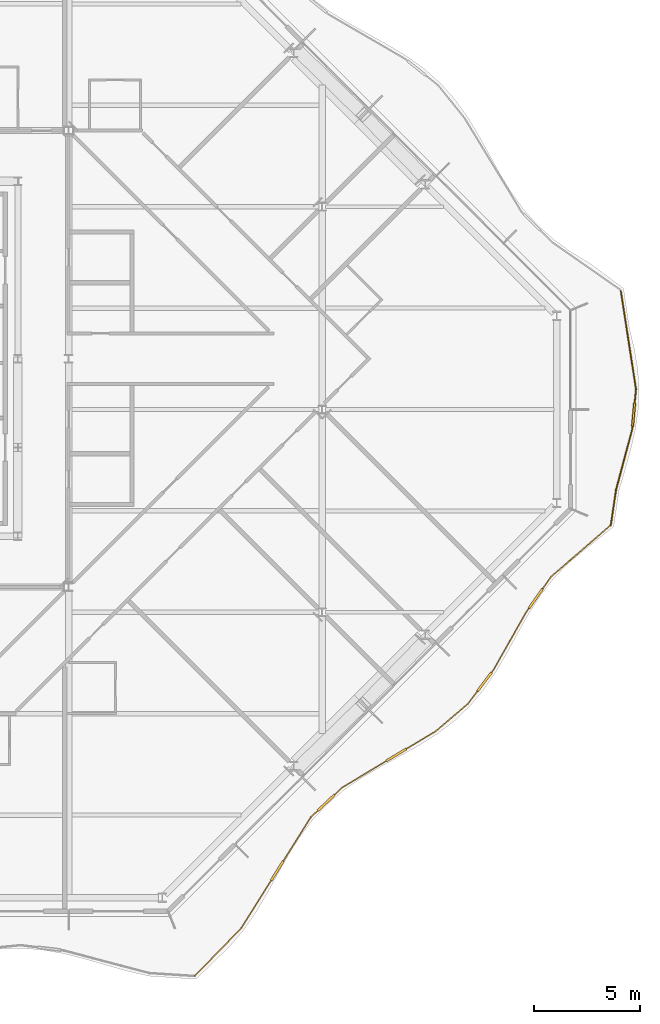
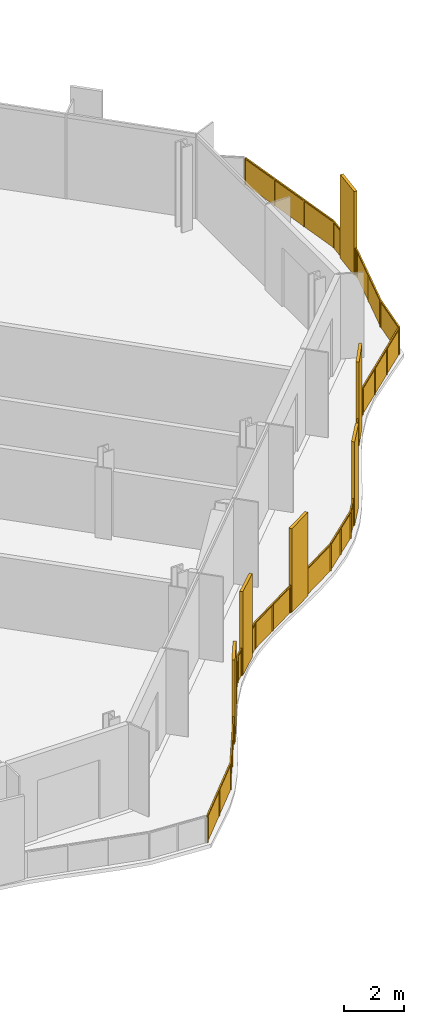
# One storey, part 15 of 17: 2 railings.
"""IFC4 building model written with IfcOpenShell, lengths in metres."""

from ifc_helpers import new_model, si_unit, direction, frame, origin, origin_2d, place, context, subcontext, project, spatial, polyline, rectangle, outline, extrude, material, type_object, element, save


model = new_model("IFC4")

# Units and contexts
model_context = context("Model", 3, precision=1e-05, world=origin(), true_north=direction((0.0, 1.0)))
body_context = subcontext(model_context, "Body", "Model", "MODEL_VIEW")
ifc_project = project(units=[si_unit("LENGTHUNIT", "METRE"), si_unit("AREAUNIT", "SQUARE_METRE"), si_unit("VOLUMEUNIT", "CUBIC_METRE"), si_unit("PLANEANGLEUNIT", "RADIAN"), si_unit("MASSUNIT", "GRAM", prefix="KILO")], contexts=[model_context])

# Site, building, storey
site_placement = place(None, origin())
site = spatial("IfcSite", under=ifc_project, at=site_placement, CompositionType="ELEMENT")
building_placement = place(site_placement, origin())
building = spatial("IfcBuilding", under=site, at=building_placement, Name="Cairn Pilgrim Tower", CompositionType="ELEMENT")
storey_placement = place(building_placement, frame((0.0, 0.0, 221.39990234375)))
storey = spatial("IfcBuildingStorey", under=building, at=storey_placement, Name="L56", CompositionType="ELEMENT", Elevation=221.39990234375)

# Railings
ifc_material = material(Name="Bronze anodised aluminium rail, posts and fin screens with laminated glass infill", Category="aluminium")
railing_type = type_object("IfcRailingType", Name="BALCONY GUARD WITH FIN SCREENS", PredefinedType="GUARDRAIL", material=ifc_material)
railing_1_placement = place(storey_placement, frame((25.16796875, -26.80908203125, 0.0)))
element("IfcRailing", 1, at=railing_1_placement, inside=storey, type_object=railing_type, Name="Balcony guard BGF-1 with fin screens", PredefinedType="GUARDRAIL", context=body_context, shape_type="SweptSolid", body=[
    extrude(rectangle(XDim=0.050048828125, YDim=0.050048828125, at=origin_2d()), frame((0.0, 0.0, 1.0751953125), z_axis=(0.69689377284, 0.717174364696, 0.0), x_axis=(-0.717174364696, 0.69689377284, 0.0)), (0.0, 0.0, 1.0), 3.154052734375),
    extrude(rectangle(XDim=1.10009765625, YDim=0.110107421875, at=origin_2d()), frame((3.90283203125, 4.981689453125, 0.0), z_axis=(0.0, 0.0, 1.0), x_axis=(0.531132233386, 0.84728894166, 0.0)), (0.0, 0.0, 1.0), 3.39990234375),
    extrude(rectangle(XDim=0.050048828125, YDim=0.050048828125, at=origin_2d()), frame((2.197998046875, 2.261962890625, 1.0751953125), z_axis=(0.531132233386, 0.84728894166, 0.0), x_axis=(-0.84728894166, 0.531132233386, 0.0)), (0.0, 0.0, 1.0), 2.659912109375),
    extrude(rectangle(XDim=0.050048828125, YDim=0.050048828125, at=origin_2d()), frame((4.195068359375, 5.44775390625, 1.0751953125), z_axis=(0.531132233386, 0.84728894166, 0.0), x_axis=(-0.84728894166, 0.531132233386, 0.0)), (0.0, 0.0, 1.0), 2.43408203125),
    extrude(rectangle(XDim=1.10009765625, YDim=0.110107421875, at=origin_2d()), frame((6.220703125, 8.202880859375, 0.0), z_axis=(0.0, 0.0, 1.0), x_axis=(0.726738639513, 0.686914077479, 0.0)), (0.0, 0.0, 1.0), 3.39990234375),
    extrude(rectangle(XDim=0.050048828125, YDim=0.050048828125, at=origin_2d()), frame((5.48779296875, 7.510009765625, 1.0751953125), z_axis=(0.726738639513, 0.686914077479, 0.0), x_axis=(-0.686914077479, 0.726738639513, 0.0)), (0.0, 0.0, 1.0), 0.45849609375),
    extrude(rectangle(XDim=0.050048828125, YDim=0.050048828125, at=origin_2d()), frame((6.620361328125, 8.58056640625, 1.0751953125), z_axis=(0.726738639513, 0.686914077479, 0.0), x_axis=(-0.686914077479, 0.726738639513, 0.0)), (0.0, 0.0, 1.0), 0.489013671875),
    extrude(rectangle(XDim=1.10009765625, YDim=0.110107421875, at=origin_2d()), frame((9.53662109375, 10.45947265625, 0.0), z_axis=(0.0, 0.0, 1.0), x_axis=(0.856510744857, 0.516129193074, 0.0)), (0.0, 0.0, 1.0), 3.39990234375),
    extrude(rectangle(XDim=0.050048828125, YDim=0.050048828125, at=origin_2d()), frame((6.975830078125, 8.91650390625, 1.0751953125), z_axis=(0.856510744857, 0.516129193074, 0.0), x_axis=(-0.516129193074, 0.856510744857, 0.0)), (0.0, 0.0, 1.0), 2.439697265625),
    extrude(rectangle(XDim=0.050048828125, YDim=0.050048828125, at=origin_2d()), frame((10.007568359375, 10.743408203125, 1.0751953125), z_axis=(0.856510744857, 0.516129193074, 0.0), x_axis=(-0.516129193074, 0.856510744857, 0.0)), (0.0, 0.0, 1.0), 1.64453125),
    extrude(rectangle(XDim=0.050048828125, YDim=0.050048828125, at=origin_2d()), frame((11.416259765625, 11.59228515625, 1.0751953125), z_axis=(0.760529014976, 0.649303948379, 0.0), x_axis=(-0.649303948379, 0.760529014976, 0.0)), (0.0, 0.0, 1.0), 1.98876953125),
    extrude(rectangle(XDim=1.10009765625, YDim=0.110107421875, at=origin_2d()), frame((13.714111328125, 13.925537109375, 0.0), z_axis=(0.0, 0.0, 1.0), x_axis=(0.601907640053, 0.798565709786, 0.0)), (0.0, 0.0, 1.0), 3.39990234375),
    extrude(rectangle(XDim=0.050048828125, YDim=0.050048828125, at=origin_2d()), frame((12.9287109375, 12.883544921875, 1.0751953125), z_axis=(0.601907640053, 0.798565709786, 0.0), x_axis=(-0.798565709786, 0.601907640053, 0.0)), (0.0, 0.0, 1.0), 0.7548828125),
    extrude(rectangle(XDim=0.050048828125, YDim=0.050048828125, at=origin_2d()), frame((14.045166015625, 14.36474609375, 1.0751953125), z_axis=(0.601907640053, 0.798565709786, 0.0), x_axis=(-0.798565709786, 0.601907640053, 0.0)), (0.0, 0.0, 1.0), 0.150146484375),
    extrude(rectangle(XDim=0.050048828125, YDim=0.050048828125, at=origin_2d()), frame((14.135498046875, 14.484619140625, 1.0751953125), z_axis=(0.492823501293, 0.870129298767, 0.0), x_axis=(-0.870129298767, 0.492823501293, 0.0)), (0.0, 0.0, 1.0), 3.1279296875),
    extrude(rectangle(XDim=1.10009765625, YDim=0.110107421875, at=origin_2d()), frame((16.137451171875, 17.862060546875, 0.0), z_axis=(0.0, 0.0, 1.0), x_axis=(0.57467417094, 0.818382305072, 0.0)), (0.0, 0.0, 1.0), 3.39990234375),
    extrude(rectangle(XDim=0.050048828125, YDim=0.050048828125, at=origin_2d()), frame((15.677001953125, 17.206298828125, 1.0751953125), z_axis=(0.57467417094, 0.818382305072, 0.0), x_axis=(-0.818382305072, 0.57467417094, 0.0)), (0.0, 0.0, 1.0), 0.251220703125),
    extrude(rectangle(XDim=0.050048828125, YDim=0.050048828125, at=origin_2d()), frame((16.453369140625, 18.31201171875, 1.0751953125), z_axis=(0.57467417094, 0.818382305072, 0.0), x_axis=(-0.818382305072, 0.57467417094, 0.0)), (0.0, 0.0, 1.0), 0.716552734375),
    extrude(rectangle(XDim=0.050048828125, YDim=0.050048828125, at=origin_2d()), frame((16.865234375, 18.8984375, 1.0751953125), z_axis=(0.756383607445, 0.654128304225, 0.0), x_axis=(-0.654128304225, 0.756383607445, 0.0)), (0.0, 0.0, 1.0), 3.674560546875),
    extrude(rectangle(XDim=0.050048828125, YDim=0.050048828125, at=origin_2d()), origin(), (0.0, 0.0, 1.0), 1.050048828125),
    extrude(rectangle(XDim=0.050048828125, YDim=0.050048828125, at=origin_2d()), frame((1.09912109375, 1.130859375, 0.0)), (0.0, 0.0, 1.0), 1.050048828125),
    extrude(rectangle(XDim=0.050048828125, YDim=0.050048828125, at=origin_2d()), frame((2.197998046875, 2.261962890625, 0.0)), (0.0, 0.0, 1.0), 1.050048828125),
    extrude(rectangle(XDim=0.050048828125, YDim=0.050048828125, at=origin_2d()), frame((2.897705078125, 3.378173828125, 0.0)), (0.0, 0.0, 1.0), 1.050048828125),
    extrude(rectangle(XDim=0.050048828125, YDim=0.050048828125, at=origin_2d()), frame((3.597412109375, 4.494384765625, 0.0)), (0.0, 0.0, 1.0), 1.050048828125),
    extrude(rectangle(XDim=0.050048828125, YDim=0.050048828125, at=origin_2d()), frame((4.208251953125, 5.468994140625, 0.0)), (0.0, 0.0, 1.0), 1.050048828125),
    extrude(rectangle(XDim=0.050048828125, YDim=0.050048828125, at=origin_2d()), frame((4.84814453125, 6.489501953125, 0.0)), (0.0, 0.0, 1.0), 1.050048828125),
    extrude(rectangle(XDim=0.050048828125, YDim=0.050048828125, at=origin_2d()), frame((5.48779296875, 7.510009765625, 0.0)), (0.0, 0.0, 1.0), 1.050048828125),
    extrude(rectangle(XDim=0.050048828125, YDim=0.050048828125, at=origin_2d()), frame((5.802978515625, 7.807861328125, 0.0)), (0.0, 0.0, 1.0), 1.050048828125),
    extrude(rectangle(XDim=0.050048828125, YDim=0.050048828125, at=origin_2d()), frame((6.638671875, 8.597900390625, 0.0)), (0.0, 0.0, 1.0), 1.050048828125),
    extrude(rectangle(XDim=0.050048828125, YDim=0.050048828125, at=origin_2d()), frame((6.975830078125, 8.91650390625, 0.0)), (0.0, 0.0, 1.0), 1.050048828125),
    extrude(rectangle(XDim=0.050048828125, YDim=0.050048828125, at=origin_2d()), frame((8.010009765625, 9.53955078125, 0.0)), (0.0, 0.0, 1.0), 1.050048828125),
    extrude(rectangle(XDim=0.050048828125, YDim=0.050048828125, at=origin_2d()), frame((9.0439453125, 10.162841796875, 0.0)), (0.0, 0.0, 1.0), 1.050048828125),
    extrude(rectangle(XDim=0.050048828125, YDim=0.050048828125, at=origin_2d()), frame((10.029052734375, 10.75634765625, 0.0)), (0.0, 0.0, 1.0), 1.050048828125),
    extrude(rectangle(XDim=0.050048828125, YDim=0.050048828125, at=origin_2d()), frame((11.416259765625, 11.59228515625, 0.0)), (0.0, 0.0, 1.0), 1.050048828125),
    extrude(rectangle(XDim=0.050048828125, YDim=0.050048828125, at=origin_2d()), frame((12.17236328125, 12.23779296875, 0.0)), (0.0, 0.0, 1.0), 1.050048828125),
    extrude(rectangle(XDim=0.050048828125, YDim=0.050048828125, at=origin_2d()), frame((12.9287109375, 12.883544921875, 0.0)), (0.0, 0.0, 1.0), 1.050048828125),
    extrude(rectangle(XDim=0.050048828125, YDim=0.050048828125, at=origin_2d()), frame((13.367919921875, 13.46630859375, 0.0)), (0.0, 0.0, 1.0), 1.050048828125),
    extrude(rectangle(XDim=0.050048828125, YDim=0.050048828125, at=origin_2d()), frame((14.060302734375, 14.384765625, 0.0)), (0.0, 0.0, 1.0), 1.050048828125),
    extrude(rectangle(XDim=0.050048828125, YDim=0.050048828125, at=origin_2d()), frame((14.135498046875, 14.484619140625, 0.0)), (0.0, 0.0, 1.0), 1.050048828125),
    extrude(rectangle(XDim=0.050048828125, YDim=0.050048828125, at=origin_2d()), frame((14.90625, 15.845458984375, 0.0)), (0.0, 0.0, 1.0), 1.050048828125),
    extrude(rectangle(XDim=0.050048828125, YDim=0.050048828125, at=origin_2d()), frame((15.677001953125, 17.206298828125, 0.0)), (0.0, 0.0, 1.0), 1.050048828125),
    extrude(rectangle(XDim=0.050048828125, YDim=0.050048828125, at=origin_2d()), frame((15.806884765625, 17.391357421875, 0.0)), (0.0, 0.0, 1.0), 1.050048828125),
    extrude(rectangle(XDim=0.050048828125, YDim=0.050048828125, at=origin_2d()), frame((16.4677734375, 18.33251953125, 0.0)), (0.0, 0.0, 1.0), 1.050048828125),
    extrude(rectangle(XDim=0.050048828125, YDim=0.050048828125, at=origin_2d()), frame((16.865234375, 18.8984375, 0.0)), (0.0, 0.0, 1.0), 1.050048828125),
    extrude(rectangle(XDim=0.050048828125, YDim=0.050048828125, at=origin_2d()), frame((17.791748046875, 19.69970703125, 0.0)), (0.0, 0.0, 1.0), 1.050048828125),
    extrude(rectangle(XDim=0.050048828125, YDim=0.050048828125, at=origin_2d()), frame((18.718017578125, 20.500732421875, 0.0)), (0.0, 0.0, 1.0), 1.050048828125),
    extrude(rectangle(XDim=0.050048828125, YDim=0.050048828125, at=origin_2d()), frame((19.64453125, 21.302001953125, 0.0)), (0.0, 0.0, 1.0), 1.050048828125),
    extrude(outline(polyline([(0.02490234375, 0.0), (1.552001953125, 0.0), (1.552001953125, 1.050048828125), (0.02490234375, 1.050048828125), (0.02490234375, 0.0)])), frame((-0.00439453125, 0.004150390625, 0.0), z_axis=(0.717174364696, -0.69689377284, 0.0), x_axis=(0.69689377284, 0.717174364696, 0.0)), (0.0, 0.0, 1.0), 0.011962890625),
    extrude(outline(polyline([(0.02490234375, 0.0), (1.552001953125, 0.0), (1.552001953125, 1.050048828125), (0.02490234375, 1.050048828125), (0.02490234375, 0.0)])), frame((1.0947265625, 1.13525390625, 0.0), z_axis=(0.717174364696, -0.69689377284, 0.0), x_axis=(0.69689377284, 0.717174364696, 0.0)), (0.0, 0.0, 1.0), 0.011962890625),
    extrude(outline(polyline([(0.02490234375, 0.0), (1.29248046875, 0.0), (1.29248046875, 1.050048828125), (0.02490234375, 1.050048828125), (0.02490234375, 0.0)])), frame((2.19287109375, 2.26513671875, 0.0), z_axis=(0.84728894166, -0.531132233386, 0.0), x_axis=(0.531132233386, 0.84728894166, 0.0)), (0.0, 0.0, 1.0), 0.011962890625),
    extrude(outline(polyline([(0.02490234375, 0.0), (1.29248046875, 0.0), (1.29248046875, 1.050048828125), (0.02490234375, 1.050048828125), (0.02490234375, 0.0)])), frame((2.892578125, 3.38134765625, 0.0), z_axis=(0.84728894166, -0.531132233386, 0.0), x_axis=(0.531132233386, 0.84728894166, 0.0)), (0.0, 0.0, 1.0), 0.011962890625),
    extrude(outline(polyline([(0.02490234375, 0.0), (1.179443359375, 0.0), (1.179443359375, 1.050048828125), (0.02490234375, 1.050048828125), (0.02490234375, 0.0)])), frame((4.203125, 5.47216796875, 0.0), z_axis=(0.84728894166, -0.531132233386, 0.0), x_axis=(0.531132233386, 0.84728894166, 0.0)), (0.0, 0.0, 1.0), 0.011962890625),
    extrude(outline(polyline([(0.02490234375, 0.0), (1.179443359375, 0.0), (1.179443359375, 1.050048828125), (0.02490234375, 1.050048828125), (0.02490234375, 0.0)])), frame((4.843017578125, 6.49267578125, 0.0), z_axis=(0.84728894166, -0.531132233386, 0.0), x_axis=(0.531132233386, 0.84728894166, 0.0)), (0.0, 0.0, 1.0), 0.011962890625),
    extrude(outline(polyline([(0.02490234375, 0.0), (0.408447265625, 0.0), (0.408447265625, 1.050048828125), (0.02490234375, 1.050048828125), (0.02490234375, 0.0)])), frame((5.483642578125, 7.514404296875, 0.0), z_axis=(0.686914077479, -0.726738639513, 0.0), x_axis=(0.726738639513, 0.686914077479, 0.0)), (0.0, 0.0, 1.0), 0.011962890625),
    extrude(outline(polyline([(0.02490234375, 0.0), (0.43896484375, 0.0), (0.43896484375, 1.050048828125), (0.02490234375, 1.050048828125), (0.02490234375, 0.0)])), frame((6.634521484375, 8.60205078125, 0.0), z_axis=(0.686914077479, -0.726738639513, 0.0), x_axis=(0.726738639513, 0.686914077479, 0.0)), (0.0, 0.0, 1.0), 0.011962890625),
    extrude(outline(polyline([(0.02490234375, 0.0), (1.182373046875, 0.0), (1.182373046875, 1.050048828125), (0.02490234375, 1.050048828125), (0.02490234375, 0.0)])), frame((6.97265625, 8.921630859375, 0.0), z_axis=(0.516129193074, -0.856510744857, 0.0), x_axis=(0.856510744857, 0.516129193074, 0.0)), (0.0, 0.0, 1.0), 0.011962890625),
    extrude(outline(polyline([(0.02490234375, 0.0), (1.182373046875, 0.0), (1.182373046875, 1.050048828125), (0.02490234375, 1.050048828125), (0.02490234375, 0.0)])), frame((8.0068359375, 9.544677734375, 0.0), z_axis=(0.516129193074, -0.856510744857, 0.0), x_axis=(0.856510744857, 0.516129193074, 0.0)), (0.0, 0.0, 1.0), 0.011962890625),
    extrude(outline(polyline([(0.02490234375, 0.0), (1.594482421875, 0.0), (1.594482421875, 1.050048828125), (0.02490234375, 1.050048828125), (0.02490234375, 0.0)])), frame((10.02587890625, 10.761474609375, 0.0), z_axis=(0.516129193074, -0.856510744857, 0.0), x_axis=(0.856510744857, 0.516129193074, 0.0)), (0.0, 0.0, 1.0), 0.011962890625),
    extrude(outline(polyline([(0.02490234375, 0.0), (0.96923828125, 0.0), (0.96923828125, 1.050048828125), (0.02490234375, 1.050048828125), (0.02490234375, 0.0)])), frame((11.412353515625, 11.596923828125, 0.0), z_axis=(0.649303948379, -0.760529014976, 0.0), x_axis=(0.760529014976, 0.649303948379, 0.0)), (0.0, 0.0, 1.0), 0.011962890625),
    extrude(outline(polyline([(0.02490234375, 0.0), (0.96923828125, 0.0), (0.96923828125, 1.050048828125), (0.02490234375, 1.050048828125), (0.02490234375, 0.0)])), frame((12.168701171875, 12.242431640625, 0.0), z_axis=(0.649303948379, -0.760529014976, 0.0), x_axis=(0.760529014976, 0.649303948379, 0.0)), (0.0, 0.0, 1.0), 0.011962890625),
    extrude(outline(polyline([(0.02490234375, 0.0), (0.704833984375, 0.0), (0.704833984375, 1.050048828125), (0.02490234375, 1.050048828125), (0.02490234375, 0.0)])), frame((12.923828125, 12.88720703125, 0.0), z_axis=(0.798565709786, -0.601907640053, 0.0), x_axis=(0.601907640053, 0.798565709786, 0.0)), (0.0, 0.0, 1.0), 0.011962890625),
    extrude(outline(polyline([(0.02490234375, 0.0), (0.10009765625, 0.0), (0.10009765625, 1.050048828125), (0.02490234375, 1.050048828125), (0.02490234375, 0.0)])), frame((14.055419921875, 14.388427734375, 0.0), z_axis=(0.798565709786, -0.601907640053, 0.0), x_axis=(0.601907640053, 0.798565709786, 0.0)), (0.0, 0.0, 1.0), 0.011962890625),
    extrude(outline(polyline([(0.02490234375, 0.0), (1.538818359375, 0.0), (1.538818359375, 1.050048828125), (0.02490234375, 1.050048828125), (0.02490234375, 0.0)])), frame((14.13037109375, 14.487548828125, 0.0), z_axis=(0.870129298767, -0.492823501293, 0.0), x_axis=(0.492823501293, 0.870129298767, 0.0)), (0.0, 0.0, 1.0), 0.011962890625),
    extrude(outline(polyline([(0.02490234375, 0.0), (1.538818359375, 0.0), (1.538818359375, 1.050048828125), (0.02490234375, 1.050048828125), (0.02490234375, 0.0)])), frame((14.901123046875, 15.848388671875, 0.0), z_axis=(0.870129298767, -0.492823501293, 0.0), x_axis=(0.492823501293, 0.870129298767, 0.0)), (0.0, 0.0, 1.0), 0.011962890625),
    extrude(outline(polyline([(0.02490234375, 0.0), (0.201171875, 0.0), (0.201171875, 1.050048828125), (0.02490234375, 1.050048828125), (0.02490234375, 0.0)])), frame((15.672119140625, 17.209716796875, 0.0), z_axis=(0.818382305072, -0.57467417094, 0.0), x_axis=(0.57467417094, 0.818382305072, 0.0)), (0.0, 0.0, 1.0), 0.011962890625),
    extrude(outline(polyline([(0.02490234375, 0.0), (0.66650390625, 0.0), (0.66650390625, 1.050048828125), (0.02490234375, 1.050048828125), (0.02490234375, 0.0)])), frame((16.462890625, 18.3359375, 0.0), z_axis=(0.818382305072, -0.57467417094, 0.0), x_axis=(0.57467417094, 0.818382305072, 0.0)), (0.0, 0.0, 1.0), 0.011962890625),
    extrude(outline(polyline([(0.02490234375, 0.0), (1.19970703125, 0.0), (1.19970703125, 1.050048828125), (0.02490234375, 1.050048828125), (0.02490234375, 0.0)])), frame((16.861328125, 18.903076171875, 0.0), z_axis=(0.654128304225, -0.756383607445, 0.0), x_axis=(0.756383607445, 0.654128304225, 0.0)), (0.0, 0.0, 1.0), 0.011962890625),
    extrude(outline(polyline([(0.02490234375, 0.0), (1.19970703125, 0.0), (1.19970703125, 1.050048828125), (0.02490234375, 1.050048828125), (0.02490234375, 0.0)])), frame((17.787841796875, 19.7041015625, 0.0), z_axis=(0.654128304225, -0.756383607445, 0.0), x_axis=(0.756383607445, 0.654128304225, 0.0)), (0.0, 0.0, 1.0), 0.011962890625),
    extrude(outline(polyline([(0.02490234375, 0.0), (1.19970703125, 0.0), (1.19970703125, 1.050048828125), (0.02490234375, 1.050048828125), (0.02490234375, 0.0)])), frame((18.714111328125, 20.50537109375, 0.0), z_axis=(0.654128304225, -0.756383607445, 0.0), x_axis=(0.756383607445, 0.654128304225, 0.0)), (0.0, 0.0, 1.0), 0.011962890625),
])
railing_2_placement = place(storey_placement, frame((44.857666015625, -5.4677734375, 0.0)))
element("IfcRailing", 2, at=railing_2_placement, inside=storey, type_object=railing_type, Name="Balcony guard BGF-2 with fin screens", PredefinedType="GUARDRAIL", context=body_context, shape_type="SweptSolid", body=[
    extrude(rectangle(XDim=0.050048828125, YDim=0.050048828125, at=origin_2d()), frame((0.0, 0.0, 1.0751953125), z_axis=(0.146374469826, 0.989229252794, 0.0), x_axis=(-0.989229252794, 0.146374469826, 0.0)), (0.0, 0.0, 1.0), 1.67626953125),
    extrude(rectangle(XDim=0.050048828125, YDim=0.050048828125, at=origin_2d()), frame((0.245361328125, 1.658203125, 1.0751953125), z_axis=(0.257922964937, 0.966165484872, 0.0), x_axis=(-0.966165484872, 0.257922964937, 0.0)), (0.0, 0.0, 1.0), 2.97705078125),
    extrude(rectangle(XDim=1.10009765625, YDim=0.110107421875, at=origin_2d()), frame((1.07861328125, 5.231201171875, 0.0), z_axis=(0.0, 0.0, 1.0), x_axis=(0.093424421333, 0.995626374449, 0.0)), (0.0, 0.0, 1.0), 3.39990234375),
    extrude(rectangle(XDim=0.050048828125, YDim=0.050048828125, at=origin_2d()), frame((1.01318359375, 4.534423828125, 1.0751953125), z_axis=(0.093424421333, 0.995626374449, 0.0), x_axis=(-0.995626374449, 0.093424421333, 0.0)), (0.0, 0.0, 1.0), 0.14990234375),
    extrude(rectangle(XDim=0.050048828125, YDim=0.050048828125, at=origin_2d()), frame((1.1298828125, 5.77880859375, 1.0751953125), z_axis=(0.093424421333, 0.995626374449, 0.0), x_axis=(-0.995626374449, 0.093424421333, 0.0)), (0.0, 0.0, 1.0), 0.6474609375),
    extrude(rectangle(XDim=0.050048828125, YDim=0.050048828125, at=origin_2d()), frame((1.1904296875, 6.42333984375, 1.0751953125), z_axis=(-0.152115842917, 0.988362671459, 0.0), x_axis=(-0.988362671459, -0.152115842917, 0.0)), (0.0, 0.0, 1.0), 4.69140625),
    extrude(rectangle(XDim=0.050048828125, YDim=0.050048828125, at=origin_2d()), origin(), (0.0, 0.0, 1.0), 1.050048828125),
    extrude(rectangle(XDim=0.050048828125, YDim=0.050048828125, at=origin_2d()), frame((0.245361328125, 1.658203125, 0.0)), (0.0, 0.0, 1.0), 1.050048828125),
    extrude(rectangle(XDim=0.050048828125, YDim=0.050048828125, at=origin_2d()), frame((0.62939453125, 3.09619140625, 0.0)), (0.0, 0.0, 1.0), 1.050048828125),
    extrude(rectangle(XDim=0.050048828125, YDim=0.050048828125, at=origin_2d()), frame((1.01318359375, 4.534423828125, 0.0)), (0.0, 0.0, 1.0), 1.050048828125),
    extrude(rectangle(XDim=0.050048828125, YDim=0.050048828125, at=origin_2d()), frame((1.02490234375, 4.65869140625, 0.0)), (0.0, 0.0, 1.0), 1.050048828125),
    extrude(rectangle(XDim=0.050048828125, YDim=0.050048828125, at=origin_2d()), frame((1.13232421875, 5.8037109375, 0.0)), (0.0, 0.0, 1.0), 1.050048828125),
    extrude(rectangle(XDim=0.050048828125, YDim=0.050048828125, at=origin_2d()), frame((1.1904296875, 6.42333984375, 0.0)), (0.0, 0.0, 1.0), 1.050048828125),
    extrude(rectangle(XDim=0.050048828125, YDim=0.050048828125, at=origin_2d()), frame((0.95263671875, 7.968994140625, 0.0)), (0.0, 0.0, 1.0), 1.050048828125),
    extrude(rectangle(XDim=0.050048828125, YDim=0.050048828125, at=origin_2d()), frame((0.714599609375, 9.514404296875, 0.0)), (0.0, 0.0, 1.0), 1.050048828125),
    extrude(rectangle(XDim=0.050048828125, YDim=0.050048828125, at=origin_2d()), frame((0.476806640625, 11.06005859375, 0.0)), (0.0, 0.0, 1.0), 1.050048828125),
    extrude(outline(polyline([(0.02490234375, 0.0), (1.651123046875, 0.0), (1.651123046875, 1.050048828125), (0.02490234375, 1.050048828125), (0.02490234375, 0.0)])), frame((-0.005859375, 0.0009765625, 0.0), z_axis=(0.989229252794, -0.146374469826, 0.0), x_axis=(0.146374469826, 0.989229252794, 0.0)), (0.0, 0.0, 1.0), 0.011962890625),
    extrude(outline(polyline([(0.02490234375, 0.0), (1.46337890625, 0.0), (1.46337890625, 1.050048828125), (0.02490234375, 1.050048828125), (0.02490234375, 0.0)])), frame((0.239501953125, 1.65966796875, 0.0), z_axis=(0.966165484872, -0.257922964937, 0.0), x_axis=(0.257922964937, 0.966165484872, 0.0)), (0.0, 0.0, 1.0), 0.011962890625),
    extrude(outline(polyline([(0.02490234375, 0.0), (1.46337890625, 0.0), (1.46337890625, 1.050048828125), (0.02490234375, 1.050048828125), (0.02490234375, 0.0)])), frame((0.62353515625, 3.097900390625, 0.0), z_axis=(0.966165484872, -0.257922964937, 0.0), x_axis=(0.257922964937, 0.966165484872, 0.0)), (0.0, 0.0, 1.0), 0.011962890625),
    extrude(outline(polyline([(0.02490234375, 0.0), (0.099853515625, 0.0), (0.099853515625, 1.050048828125), (0.02490234375, 1.050048828125), (0.02490234375, 0.0)])), frame((1.00732421875, 4.534912109375, 0.0), z_axis=(0.995626374449, -0.093424421333, 0.0), x_axis=(0.093424421333, 0.995626374449, 0.0)), (0.0, 0.0, 1.0), 0.011962890625),
    extrude(outline(polyline([(0.02490234375, 0.0), (0.597412109375, 0.0), (0.597412109375, 1.050048828125), (0.02490234375, 1.050048828125), (0.02490234375, 0.0)])), frame((1.126220703125, 5.80419921875, 0.0), z_axis=(0.995626374449, -0.093424421333, 0.0), x_axis=(0.093424421333, 0.995626374449, 0.0)), (0.0, 0.0, 1.0), 0.011962890625),
    extrude(outline(polyline([(0.02490234375, 0.0), (1.538818359375, 0.0), (1.538818359375, 1.050048828125), (0.02490234375, 1.050048828125), (0.02490234375, 0.0)])), frame((1.1845703125, 6.42236328125, 0.0), z_axis=(0.988362671459, 0.152115842917, 0.0), x_axis=(-0.152115842917, 0.988362671459, 0.0)), (0.0, 0.0, 1.0), 0.011962890625),
    extrude(outline(polyline([(0.02490234375, 0.0), (1.538818359375, 0.0), (1.538818359375, 1.050048828125), (0.02490234375, 1.050048828125), (0.02490234375, 0.0)])), frame((0.946533203125, 7.968017578125, 0.0), z_axis=(0.988362671459, 0.152115842917, 0.0), x_axis=(-0.152115842917, 0.988362671459, 0.0)), (0.0, 0.0, 1.0), 0.011962890625),
    extrude(outline(polyline([(0.02490234375, 0.0), (1.538818359375, 0.0), (1.538818359375, 1.050048828125), (0.02490234375, 1.050048828125), (0.02490234375, 0.0)])), frame((0.708740234375, 9.513671875, 0.0), z_axis=(0.988362671459, 0.152115842917, 0.0), x_axis=(-0.152115842917, 0.988362671459, 0.0)), (0.0, 0.0, 1.0), 0.011962890625),
])

save(model, "model.ifc")
